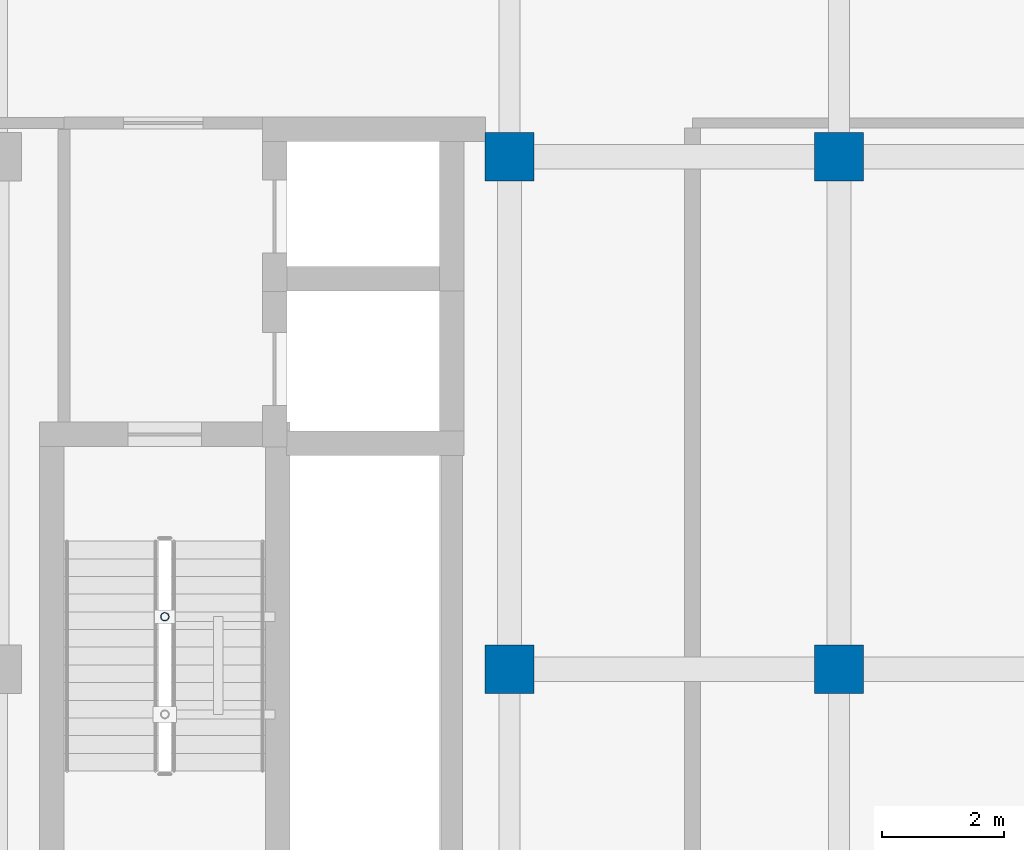
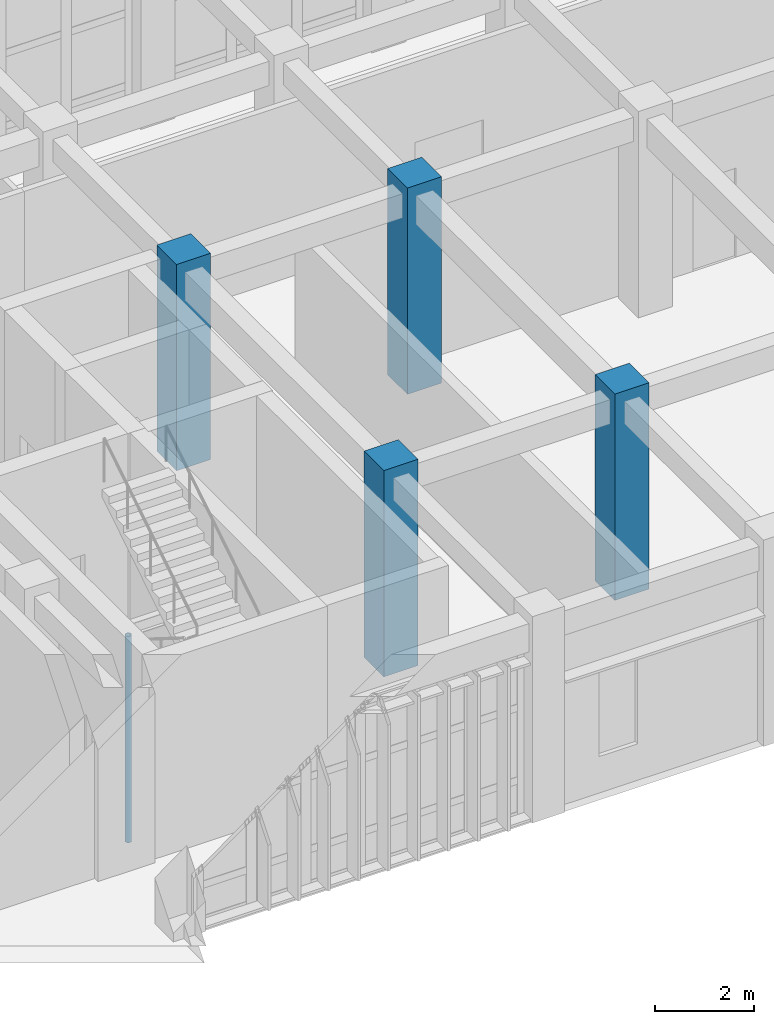
# One storey, part 10 of 77: 5 columns.
"""IFC4 building model written with IfcOpenShell, lengths in metres."""

from ifc_helpers import new_model, si_unit, direction, frame, origin, origin_2d, place, context, subcontext, project, spatial, rectangle, hollow_circle, extrude, material, material_profile, profile_set, type_object, element, save


model = new_model("IFC4")

# Units and contexts
model_context = context("Model", 3, precision=1e-05, world=origin(), true_north=direction((0.0, 1.0)))
body_context = subcontext(model_context, "Body", "Model", "MODEL_VIEW")
ifc_project = project(units=[si_unit("LENGTHUNIT", "METRE"), si_unit("AREAUNIT", "SQUARE_METRE"), si_unit("VOLUMEUNIT", "CUBIC_METRE"), si_unit("PLANEANGLEUNIT", "RADIAN"), si_unit("MASSUNIT", "GRAM", prefix="KILO")], contexts=[model_context])

# Site, building, storey
site_placement = place(None, origin())
site = spatial("IfcSite", under=ifc_project, at=site_placement, CompositionType="ELEMENT")
building_placement = place(site_placement, origin())
building = spatial("IfcBuilding", under=site, at=building_placement, Name="Krzemoval Escarpment Law Courts", CompositionType="ELEMENT")
storey_placement = place(building_placement, frame((0.0, 0.0, 15.300048828125)))
storey = spatial("IfcBuildingStorey", under=building, at=storey_placement, Name="L03", CompositionType="ELEMENT", Elevation=15.300048828125)

# Columns
ifc_material_1 = material(Name="Concrete C40/50", Category="concrete")
ifc_material_profile_1 = material_profile(ifc_material_1, rectangle(XDim=0.800048828125, YDim=0.800048828125, at=origin_2d()), Name="RC 800x800")
ifc_profile_set_1 = profile_set([ifc_material_profile_1], Name="Concrete C40/50")
column_type_1 = type_object("IfcColumnType", Name="COL-RC-800", PredefinedType="COLUMN", material=ifc_profile_set_1)
for number, where, z_axis, x_axis, name in (
    (1, (151.199951171875, 99.60009765625, 0.0), (0.0, 0.0, 1.0), (1.0, 0.0, 0.0), "Column FC-L03-1148"),
    (2, (151.199951171875, 108.0, 0.0), (0.0, 0.0, 1.0), (1.0, 0.0, 0.0), "Column FC-L03-1149"),
    (3, (156.60009765625, 99.60009765625, 0.0), (0.0, 0.0, 1.0), (1.0, 0.0, 0.0), "Column FC-L03-1153"),
    (4, (156.60009765625, 108.0, 0.0), (0.0, 0.0, 1.0), (1.0, 0.0, 0.0), "Column FC-L03-1154"),
):
    element("IfcColumn", number, at=place(storey_placement, frame(where, z_axis=z_axis, x_axis=x_axis)), inside=storey, type_object=column_type_1, Name=name, PredefinedType="COLUMN", context=body_context, shape_type="SweptSolid", body=[
        extrude(rectangle(XDim=0.800048828125, YDim=0.800048828125, at=origin_2d()), origin(), (0.0, 0.0, 1.0), 5.099853515625),
    ])
ifc_material_2 = material(Name="Steel S355", Category="steel")
ifc_material_profile_2 = material_profile(ifc_material_2, hollow_circle(Radius=0.06982421875, WallThickness=0.008056640625, at=origin_2d()), Name="CHS 139.7x8")
ifc_profile_set_2 = profile_set([ifc_material_profile_2], Name="Steel S355")
column_type_2 = type_object("IfcColumnType", Name="COL-S355-CHS140", PredefinedType="COLUMN", material=ifc_profile_set_2)
column_placement = place(storey_placement, frame((145.550048828125, 100.4599609375, -2.97998046875), z_axis=(0.0, 0.0, 1.0), x_axis=(1.0, 0.0, 0.0)))
element("IfcColumn", 5, at=column_placement, inside=storey, type_object=column_type_2, Name="Stair Well Post SCP-C3-L03-2", PredefinedType="COLUMN", context=body_context, shape_type="SweptSolid", body=[
    extrude(hollow_circle(Radius=0.06982421875, WallThickness=0.008056640625, at=origin_2d()), origin(), (0.0, 0.0, 1.0), 5.099853515625),
])

save(model, "model.ifc")
